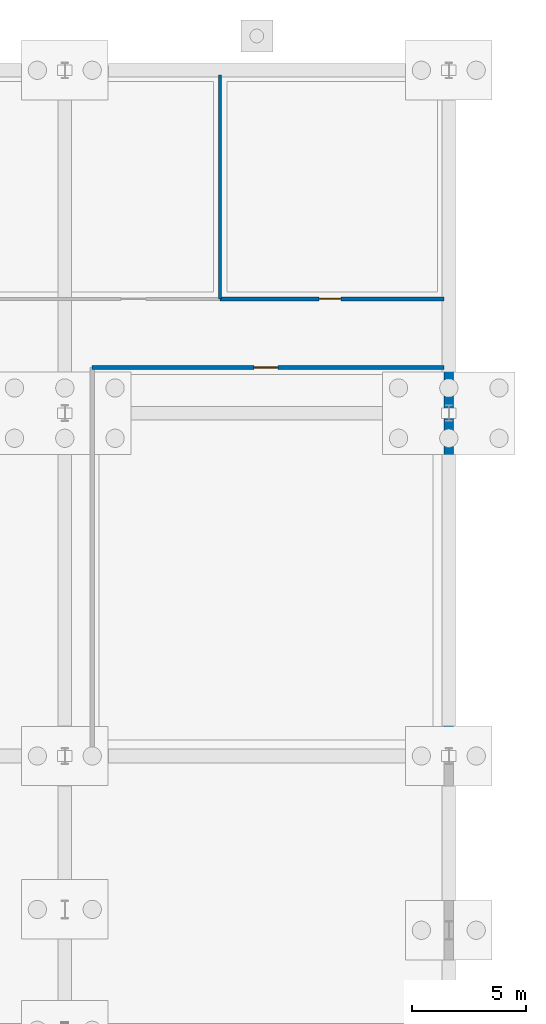
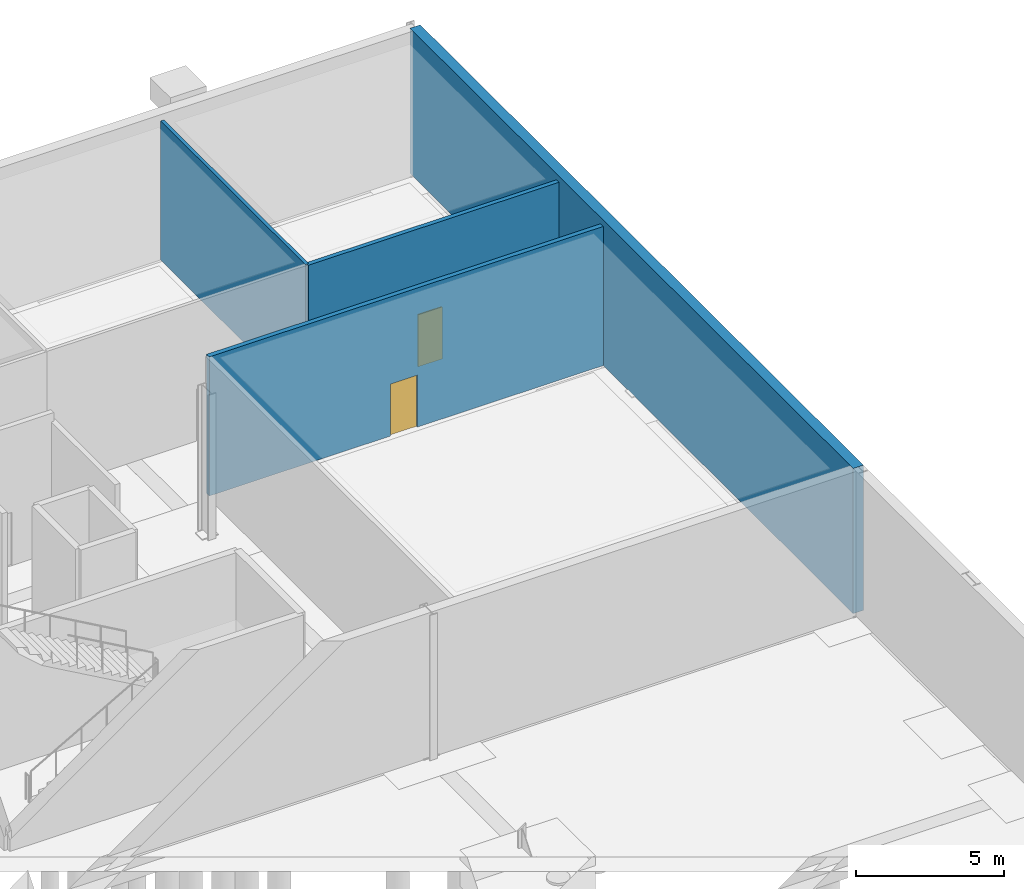
# One storey, part 33 of 46: 4 walls, 2 doors, 2 openings.
"""IFC4 building model written with IfcOpenShell, lengths in metres."""

from ifc_helpers import new_model, si_unit, direction, frame, frame_2d, origin, place, context, subcontext, project, spatial, rectangle, extrude, material, layer, layer_set, type_object, element, fill, save


model = new_model("IFC4")

# Units and contexts
model_context = context("Model", 3, precision=1e-05, world=origin(), true_north=direction((0.0, 1.0)))
body_context = subcontext(model_context, "Body", "Model", "MODEL_VIEW")
ifc_project = project(units=[si_unit("LENGTHUNIT", "METRE"), si_unit("AREAUNIT", "SQUARE_METRE"), si_unit("VOLUMEUNIT", "CUBIC_METRE"), si_unit("PLANEANGLEUNIT", "RADIAN"), si_unit("MASSUNIT", "GRAM", prefix="KILO")], contexts=[model_context])

# Site, building, storey
site_placement = place(None, origin())
site = spatial("IfcSite", under=ifc_project, at=site_placement, CompositionType="ELEMENT")
building_placement = place(site_placement, origin())
building = spatial("IfcBuilding", under=site, at=building_placement, Name="Kimbaza Rail Terminus", CompositionType="ELEMENT")
storey_placement = place(building_placement, frame((0.0, 0.0, -6.0)))
storey = spatial("IfcBuildingStorey", under=building, at=storey_placement, Name="B1", CompositionType="ELEMENT", Elevation=-6.0)

# Wall, opening, door
ifc_material_1 = material(Name="Concrete blockwork C30/37", Category="masonry")
ifc_layer_1 = layer(ifc_material_1, 0.179931640625)
ifc_layer_set_1 = layer_set([ifc_layer_1], Name="Concrete blockwork C30/37")
wall_type_1 = type_object("IfcWallType", Name="ARC-WL-FIRE180", PredefinedType="PARTITIONING", material=ifc_layer_set_1)
wall_1_placement = place(storey_placement, frame((155.800048828125, 120.0, 0.0), z_axis=(0.0, 0.0, 1.0), x_axis=(-1.0, 0.0, 0.0)))
wall_1 = element("IfcWall", 1, at=wall_1_placement, inside=storey, type_object=wall_type_1, Name="B1 East Telecoms Technical Office Partition (north)", PredefinedType="PARTITIONING", context=body_context, shape_type="SweptSolid", body=[
    extrude(rectangle(XDim=15.400146484375, YDim=0.179931640625, at=frame_2d((7.7001953125, 0.0))), origin(), (0.0, 0.0, 1.0), 5.75),
])
opening_1_placement = place(wall_1_placement, frame((8.324951171875, 0.0, 0.0), z_axis=(0.0, 0.0, 1.0), x_axis=(-1.0, 0.0, 0.0)))
opening_1 = element("IfcOpeningElement", 2, at=opening_1_placement, cuts=wall_1, Name="Opening FD-04", PredefinedType="OPENING", context=body_context, shape_type="SweptSolid", body=[
    extrude(rectangle(XDim=1.050048828125, YDim=2.14990234375, at=frame_2d((0.52490234375, 1.074951171875))), frame((0.0, 0.099853515625, 0.0), z_axis=(0.0, -1.0, 0.0), x_axis=(1.0, 0.0, 0.0)), (0.0, 0.0, 1.0), 0.199951171875),
])
ifc_material_2 = material(Name="Plant room steel fire door", Category="steel")
door_type_1 = type_object("IfcDoorType", Name="ARC-DR-FD105", OperationType="NOTDEFINED", PredefinedType="DOOR", material=ifc_material_2)
door_1_placement = place(opening_1_placement, origin())
door_1 = element("IfcDoor", 3, at=door_1_placement, inside=storey, type_object=door_type_1, Name="IDR-SPC-V5S-B1-5", OperationType="SINGLE_SWING_LEFT", OverallHeight=2.14990234375, OverallWidth=1.050048828125, PredefinedType="DOOR", context=body_context, shape_type="SweptSolid", body=[
    extrude(rectangle(XDim=1.050048828125, YDim=2.14990234375, at=frame_2d((0.52490234375, 1.074951171875))), frame((0.0, 0.02490234375, 0.0), z_axis=(0.0, -1.0, 0.0), x_axis=(1.0, 0.0, 0.0)), (0.0, 0.0, 1.0), 0.050048828125),
])
fill(opening_1, door_1)

# Wall
ifc_material_3 = material(Name="Acoustic gypsum stud partition", Category="gypsum")
ifc_layer_2 = layer(ifc_material_3, 0.1298828125)
ifc_layer_set_2 = layer_set([ifc_layer_2], Name="Acoustic gypsum stud partition")
wall_type_2 = type_object("IfcWallType", Name="ARC-WL-PART130", PredefinedType="PARTITIONING", material=ifc_layer_set_2)
wall_2_placement = place(storey_placement, frame((146.0, 123.0, 0.0), z_axis=(0.0, 0.0, 1.0), x_axis=(0.0, 1.0, 0.0)))
element("IfcWall", 4, at=wall_2_placement, inside=storey, type_object=wall_type_2, Name="Track Maintenance Equipment Store Partition (east)", PredefinedType="PARTITIONING", context=body_context, shape_type="SweptSolid", body=[
    extrude(rectangle(XDim=9.800048828125, YDim=0.1298828125, at=frame_2d((4.89990234375, 0.0))), origin(), (0.0, 0.0, 1.0), 5.75),
])

# Wall, opening, door
ifc_material_4 = material(Name="Moisture-resistant blockwork C25/30", Category="masonry")
ifc_layer_3 = layer(ifc_material_4, 0.169921875)
ifc_layer_set_3 = layer_set([ifc_layer_3], Name="Moisture-resistant blockwork C25/30")
wall_type_3 = type_object("IfcWallType", Name="ARC-WL-PLMB170", PredefinedType="PLUMBINGWALL", material=ifc_layer_set_3)
wall_3_placement = place(storey_placement, frame((146.0, 123.0, 0.0), z_axis=(0.0, 0.0, 1.0), x_axis=(1.0, 0.0, 0.0)))
wall_3 = element("IfcWall", 5, at=wall_3_placement, inside=storey, type_object=wall_type_3, Name="Basement Staff Accessible WC Partition (south)", PredefinedType="PLUMBINGWALL", context=body_context, shape_type="SweptSolid", body=[
    extrude(rectangle(XDim=9.800048828125, YDim=0.169921875, at=frame_2d((4.89990234375, 0.0))), origin(), (0.0, 0.0, 1.0), 5.75),
])
opening_2_placement = place(wall_3_placement, frame((4.324951171875, 0.0, 0.0)))
opening_2 = element("IfcOpeningElement", 6, at=opening_2_placement, cuts=wall_3, Name="Opening ID-06", PredefinedType="OPENING", context=body_context, shape_type="SweptSolid", body=[
    extrude(rectangle(XDim=0.949951171875, YDim=2.14990234375, at=frame_2d((0.47509765625, 1.074951171875))), frame((0.0, 0.094970703125, 0.0), z_axis=(0.0, -1.0, 0.0), x_axis=(1.0, 0.0, 0.0)), (0.0, 0.0, 1.0), 0.18994140625),
])
ifc_material_5 = material(Name="Accessible washroom outward-capable door", Category="wood")
door_type_2 = type_object("IfcDoorType", Name="ARC-DR-ID095", OperationType="NOTDEFINED", PredefinedType="DOOR", material=ifc_material_5)
door_2_placement = place(opening_2_placement, origin())
door_2 = element("IfcDoor", 7, at=door_2_placement, inside=storey, type_object=door_type_2, Name="IDR-SPC-V5N-B1-07", OperationType="SINGLE_SWING_RIGHT", OverallHeight=2.14990234375, OverallWidth=0.949951171875, PredefinedType="DOOR", context=body_context, shape_type="SweptSolid", body=[
    extrude(rectangle(XDim=0.949951171875, YDim=2.14990234375, at=frame_2d((0.47509765625, 1.074951171875))), frame((0.0, 0.02490234375, 0.0), z_axis=(0.0, -1.0, 0.0), x_axis=(1.0, 0.0, 0.0)), (0.0, 0.0, 1.0), 0.050048828125),
])
fill(opening_2, door_2)

# Wall
ifc_material_6 = material(Name="Concrete C40/50", Category="concrete")
ifc_layer_4 = layer(ifc_material_6, 0.39990234375)
ifc_layer_set_4 = layer_set([ifc_layer_4], Name="Concrete C40/50")
wall_type_4 = type_object("IfcWallType", Name="STR-WL-RET400", PredefinedType="SOLIDWALL", material=ifc_layer_set_4)
wall_4_placement = place(storey_placement, frame((156.0, 103.0, 0.0), z_axis=(0.0, 0.0, 1.0), x_axis=(0.0, 1.0, 0.0)))
element("IfcWall", 8, at=wall_4_placement, inside=storey, type_object=wall_type_4, Name="Operations B1 Retaining Wall 3", PredefinedType="SOLIDWALL", context=body_context, shape_type="SweptSolid", body=[
    extrude(rectangle(XDim=30.0, YDim=0.39990234375, at=frame_2d((15.0, 0.0))), origin(), (0.0, 0.0, 1.0), 6.0),
])

save(model, "model.ifc")
